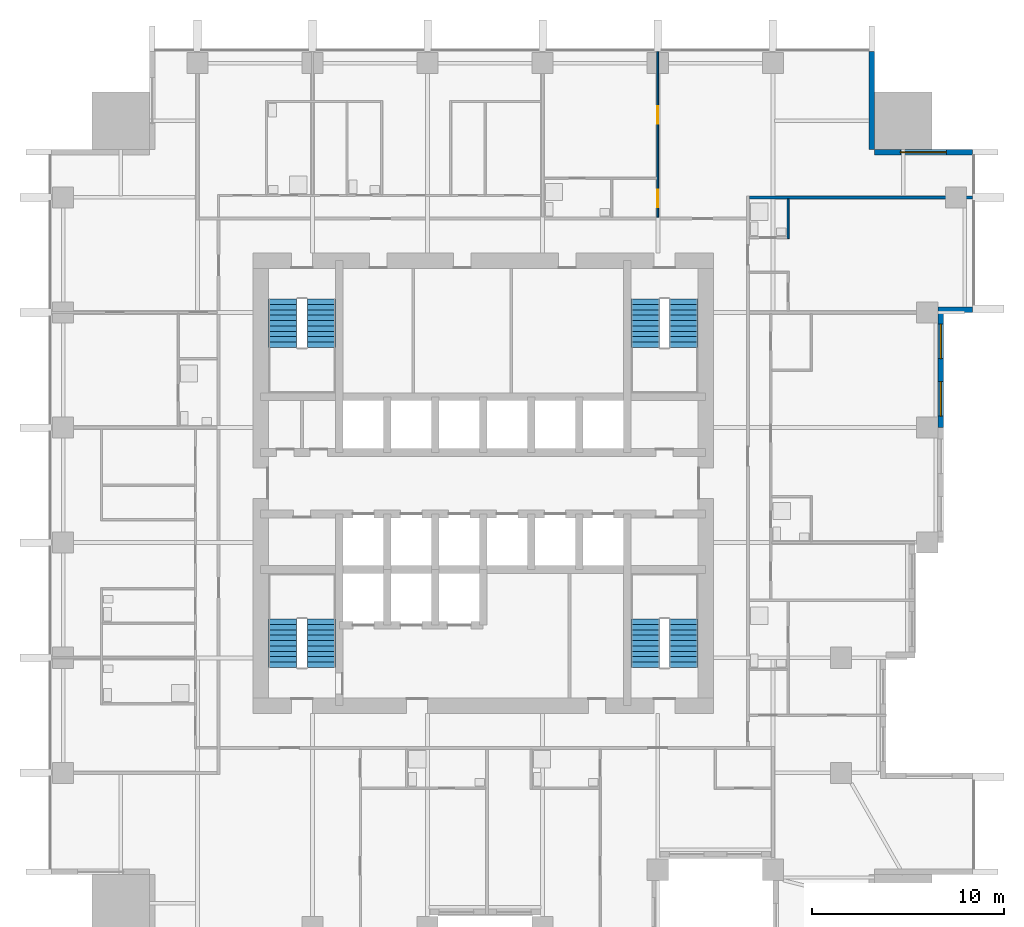
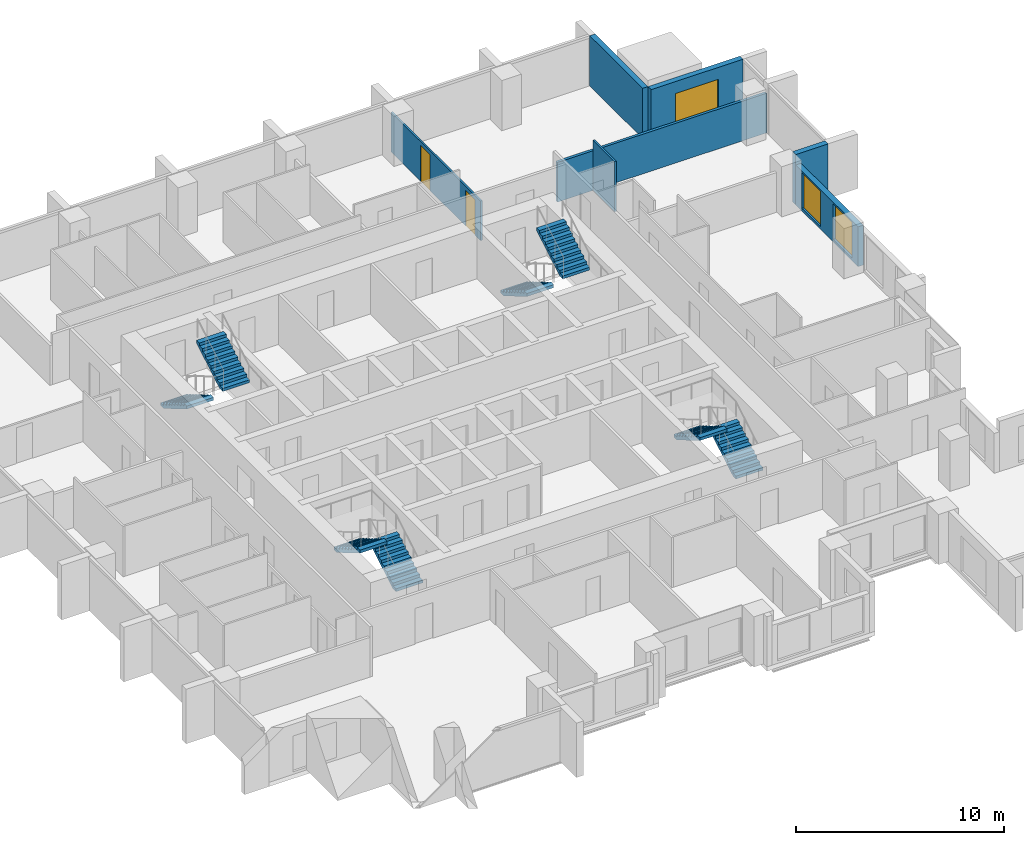
# One storey, part 8 of 10: 8 stair flights, 7 walls, 3 windows, 2 doors, 5 openings, 4 elements without a shape of their own.
"""IFC4 building model written with IfcOpenShell, lengths in metres."""

from ifc_helpers import new_model, si_unit, direction, frame, frame_2d, origin, place, context, subcontext, project, spatial, polyline, rectangle, outline, extrude, material, layer, layer_set, type_object, element, fill, aggregate, save


model = new_model("IFC4")

# Units and contexts
model_context = context("Model", 3, precision=1e-05, world=origin(), true_north=direction((0.0, 1.0)))
body_context = subcontext(model_context, "Body", "Model", "MODEL_VIEW")
ifc_project = project(units=[si_unit("LENGTHUNIT", "METRE"), si_unit("AREAUNIT", "SQUARE_METRE"), si_unit("VOLUMEUNIT", "CUBIC_METRE"), si_unit("PLANEANGLEUNIT", "RADIAN"), si_unit("MASSUNIT", "GRAM", prefix="KILO")], contexts=[model_context])

# Site, building, storey
site_placement = place(None, origin())
site = spatial("IfcSite", under=ifc_project, at=site_placement, CompositionType="ELEMENT")
building_placement = place(site_placement, origin())
building = spatial("IfcBuilding", under=site, at=building_placement, Name="Amberfall Residences", CompositionType="ELEMENT")
storey_placement = place(building_placement, frame((0.0, 0.0, 121.60009765625)))
storey = spatial("IfcBuildingStorey", under=building, at=storey_placement, Name="L33", CompositionType="ELEMENT", Elevation=121.60009765625)

# Wall
ifc_material_1 = material(Name="Pale stone cladding on insulated backing", Category="masonry")
ifc_layer_1 = layer(ifc_material_1, 0.300048828125)
ifc_layer_set_1 = layer_set([ifc_layer_1], Name="Bronze clad wall 300")
wall_type_1 = type_object("IfcWallType", Name="Bronze clad wall 300", PredefinedType="SOLIDWALL", material=ifc_layer_set_1)
wall_1_placement = place(storey_placement, frame((98.199951171875, 54.550048828125, 0.0), z_axis=(0.0, 0.0, 1.0), x_axis=(1.0, 0.0, 0.0)))
element("IfcWall", 1, at=wall_1_placement, inside=storey, type_object=wall_type_1, Name="External wall L33 E", PredefinedType="SOLIDWALL", context=body_context, shape_type="SweptSolid", body=[
    extrude(rectangle(XDim=1.800048828125, YDim=0.300048828125, at=frame_2d((0.89990234375, 0.0))), origin(), (0.0, 0.0, 1.0), 2.949951171875),
])

# Wall, opening, window
wall_2_placement = place(storey_placement, frame((100.0, 62.75, 0.0), z_axis=(0.0, 0.0, 1.0), x_axis=(-1.0, 0.0, 0.0)))
wall_2 = element("IfcWall", 2, at=wall_2_placement, inside=storey, type_object=wall_type_1, Name="External wall L33 NE", PredefinedType="SOLIDWALL", context=body_context, shape_type="SweptSolid", body=[
    extrude(rectangle(XDim=5.10009765625, YDim=0.300048828125, at=frame_2d((2.550048828125, 0.0))), origin(), (0.0, 0.0, 1.0), 2.949951171875),
])
opening_1_placement = place(wall_2_placement, frame((1.35009765625, 0.0, 0.14990234375)))
opening_1 = element("IfcOpeningElement", 3, at=opening_1_placement, cuts=wall_2, Name="Opening WN5", PredefinedType="OPENING", context=body_context, shape_type="SweptSolid", body=[
    extrude(rectangle(XDim=2.39990234375, YDim=2.10009765625, at=frame_2d((1.199951171875, 1.050048828125))), frame((0.0, 0.159912109375, 0.0), z_axis=(0.0, -1.0, 0.0), x_axis=(1.0, 0.0, 0.0)), (0.0, 0.0, 1.0), 0.320068359375),
])
ifc_material_2 = material(Name="Bronze aluminium framed glazing", Category="aluminium")
window_type_1 = type_object("IfcWindowType", Name="Glazed opening 2400 x 2100 bronze", PartitioningType="DOUBLE_PANEL_VERTICAL", PredefinedType="WINDOW", material=ifc_material_2)
window_1_placement = place(opening_1_placement, origin())
window_1 = element("IfcWindow", 4, at=window_1_placement, inside=storey, type_object=window_type_1, Name="Window L33 NE", OverallHeight=2.10009765625, OverallWidth=2.39990234375, PartitioningType="DOUBLE_PANEL_VERTICAL", PredefinedType="WINDOW", context=body_context, shape_type="SweptSolid", body=[
    extrude(rectangle(XDim=2.39990234375, YDim=2.10009765625, at=frame_2d((1.199951171875, 1.050048828125))), frame((0.0, 0.030029296875, 0.0), z_axis=(0.0, -1.0, 0.0), x_axis=(1.0, 0.0, 0.0)), (0.0, 0.0, 1.0), 0.06005859375),
])
fill(opening_1, window_1)

# Wall
wall_3_placement = place(storey_placement, frame((94.75, 62.89990234375, 0.0), z_axis=(0.0, 0.0, 1.0), x_axis=(0.0, 1.0, 0.0)))
element("IfcWall", 5, at=wall_3_placement, inside=storey, type_object=wall_type_1, Name="External wall L33 NE", PredefinedType="SOLIDWALL", context=body_context, shape_type="SweptSolid", body=[
    extrude(rectangle(XDim=5.10009765625, YDim=0.300048828125, at=frame_2d((2.550048828125, 0.0))), origin(), (0.0, 0.0, 1.0), 2.949951171875),
])

# Wall, openings, windows
wall_4_placement = place(storey_placement, frame((98.35009765625, 48.39990234375, 0.0), z_axis=(0.0, 0.0, 1.0), x_axis=(0.0, 1.0, 0.0)))
wall_4 = element("IfcWall", 6, at=wall_4_placement, inside=storey, type_object=wall_type_1, Name="Stone wall L33 E", PredefinedType="SOLIDWALL", context=body_context, shape_type="SweptSolid", body=[
    extrude(rectangle(XDim=6.0, YDim=0.300048828125, at=frame_2d((3.0, 0.0))), origin(), (0.0, 0.0, 1.0), 2.34033203125),
])
opening_2_placement = place(wall_4_placement, frame((0.60009765625, 0.0, 0.14990234375)))
opening_2 = element("IfcOpeningElement", 7, at=opening_2_placement, cuts=wall_4, Name="Opening WN6", PredefinedType="OPENING", context=body_context, shape_type="SweptSolid", body=[
    extrude(rectangle(XDim=1.800048828125, YDim=2.10009765625, at=frame_2d((0.89990234375, 1.050048828125))), frame((0.0, 0.159912109375, 0.0), z_axis=(0.0, -1.0, 0.0), x_axis=(1.0, 0.0, 0.0)), (0.0, 0.0, 1.0), 0.320068359375),
])
opening_3_placement = place(wall_4_placement, frame((3.60009765625, 0.0, 0.14990234375)))
opening_3 = element("IfcOpeningElement", 8, at=opening_3_placement, cuts=wall_4, Name="Opening WN6", PredefinedType="OPENING", context=body_context, shape_type="SweptSolid", body=[
    extrude(rectangle(XDim=1.800048828125, YDim=2.10009765625, at=frame_2d((0.89990234375, 1.050048828125))), frame((0.0, 0.159912109375, 0.0), z_axis=(0.0, -1.0, 0.0), x_axis=(1.0, 0.0, 0.0)), (0.0, 0.0, 1.0), 0.320068359375),
])
window_type_2 = type_object("IfcWindowType", Name="Glazed opening 1800 x 2100 bronze", PartitioningType="DOUBLE_PANEL_VERTICAL", PredefinedType="WINDOW", material=ifc_material_2)
window_2_placement = place(opening_2_placement, origin())
window_2 = element("IfcWindow", 9, at=window_2_placement, inside=storey, type_object=window_type_2, Name="Window L33 E", OverallHeight=2.10009765625, OverallWidth=1.800048828125, PartitioningType="DOUBLE_PANEL_VERTICAL", PredefinedType="WINDOW", context=body_context, shape_type="SweptSolid", body=[
    extrude(rectangle(XDim=1.800048828125, YDim=2.10009765625, at=frame_2d((0.89990234375, 1.050048828125))), frame((0.0, 0.030029296875, 0.0), z_axis=(0.0, -1.0, 0.0), x_axis=(1.0, 0.0, 0.0)), (0.0, 0.0, 1.0), 0.06005859375),
])
fill(opening_2, window_2)
window_3_placement = place(opening_3_placement, origin())
window_3 = element("IfcWindow", 10, at=window_3_placement, inside=storey, type_object=window_type_2, Name="Window L33 E", OverallHeight=2.10009765625, OverallWidth=1.800048828125, PartitioningType="DOUBLE_PANEL_VERTICAL", PredefinedType="WINDOW", context=body_context, shape_type="SweptSolid", body=[
    extrude(rectangle(XDim=1.800048828125, YDim=2.10009765625, at=frame_2d((0.89990234375, 1.050048828125))), frame((0.0, 0.030029296875, 0.0), z_axis=(0.0, -1.0, 0.0), x_axis=(1.0, 0.0, 0.0)), (0.0, 0.0, 1.0), 0.06005859375),
])
fill(opening_3, window_3)

# Wall, openings, doors
ifc_material_3 = material(Name="Gypsum board on metal stud")
ifc_layer_2 = layer(ifc_material_3, 0.10009765625)
ifc_layer_set_2 = layer_set([ifc_layer_2], Name="Flat partition 100")
wall_type_2 = type_object("IfcWallType", Name="Flat partition 100", PredefinedType="PARTITIONING", material=ifc_layer_set_2)
wall_5_placement = place(storey_placement, frame((83.60009765625, 59.375, 0.0), z_axis=(0.0, 0.0, 1.0), x_axis=(0.0, 1.0, 0.0)))
wall_5 = element("IfcWall", 11, at=wall_5_placement, inside=storey, type_object=wall_type_2, Name="Partition 017", PredefinedType="PARTITIONING", context=body_context, shape_type="SweptSolid", body=[
    extrude(rectangle(XDim=8.625, YDim=0.10009765625, at=frame_2d((4.3125, 0.0))), origin(), (0.0, 0.0, 1.0), 2.331787109375),
])
opening_4_placement = place(wall_5_placement, frame((0.52490234375, 0.0, 0.0)))
opening_4 = element("IfcOpeningElement", 12, at=opening_4_placement, cuts=wall_5, Name="Opening D41", PredefinedType="OPENING", context=body_context, shape_type="SweptSolid", body=[
    extrude(rectangle(XDim=0.89990234375, YDim=2.10009765625, at=frame_2d((0.449951171875, 1.050048828125))), frame((0.0, 0.06005859375, 0.0), z_axis=(0.0, -1.0, 0.0), x_axis=(1.0, 0.0, 0.0)), (0.0, 0.0, 1.0), 0.1201171875),
])
opening_5_placement = place(wall_5_placement, frame((4.875, 0.0, 0.0)))
opening_5 = element("IfcOpeningElement", 13, at=opening_5_placement, cuts=wall_5, Name="Opening D41", PredefinedType="OPENING", context=body_context, shape_type="SweptSolid", body=[
    extrude(rectangle(XDim=0.89990234375, YDim=2.10009765625, at=frame_2d((0.449951171875, 1.050048828125))), frame((0.0, 0.06005859375, 0.0), z_axis=(0.0, -1.0, 0.0), x_axis=(1.0, 0.0, 0.0)), (0.0, 0.0, 1.0), 0.1201171875),
])
ifc_material_4 = material(Name="Timber", Category="wood")
door_type = type_object("IfcDoorType", Name="Internal door 900 x 2100", OperationType="SINGLE_SWING_LEFT", PredefinedType="DOOR", material=ifc_material_4)
door_1_placement = place(opening_4_placement, origin())
door_1 = element("IfcDoor", 14, at=door_1_placement, inside=storey, type_object=door_type, Name="Door 3307 kitchen", OperationType="SINGLE_SWING_LEFT", OverallHeight=2.10009765625, OverallWidth=0.89990234375, PredefinedType="DOOR", context=body_context, shape_type="SweptSolid", body=[
    extrude(rectangle(XDim=0.89990234375, YDim=2.10009765625, at=frame_2d((0.449951171875, 1.050048828125))), frame((0.0, 0.02490234375, 0.0), z_axis=(0.0, -1.0, 0.0), x_axis=(1.0, 0.0, 0.0)), (0.0, 0.0, 1.0), 0.050048828125),
])
fill(opening_4, door_1)
door_2_placement = place(opening_5_placement, origin())
door_2 = element("IfcDoor", 15, at=door_2_placement, inside=storey, type_object=door_type, Name="Door 3307 bedroom1", OperationType="SINGLE_SWING_LEFT", OverallHeight=2.10009765625, OverallWidth=0.89990234375, PredefinedType="DOOR", context=body_context, shape_type="SweptSolid", body=[
    extrude(rectangle(XDim=0.89990234375, YDim=2.10009765625, at=frame_2d((0.449951171875, 1.050048828125))), frame((0.0, 0.02490234375, 0.0), z_axis=(0.0, -1.0, 0.0), x_axis=(1.0, 0.0, 0.0)), (0.0, 0.0, 1.0), 0.050048828125),
])
fill(opening_5, door_2)

# Walls
wall_6_placement = place(storey_placement, frame((90.39990234375, 58.25, 0.0), z_axis=(0.0, 0.0, 1.0), x_axis=(0.0, 1.0, 0.0)))
element("IfcWall", 16, at=wall_6_placement, inside=storey, type_object=wall_type_2, Name="Partition 022", PredefinedType="PARTITIONING", context=body_context, shape_type="SweptSolid", body=[
    extrude(rectangle(XDim=2.074951171875, YDim=0.10009765625, at=frame_2d((1.03759765625, 0.0))), origin(), (0.0, 0.0, 1.0), 2.949951171875),
])
ifc_material_5 = material(Name="Blockwork, plastered", Category="masonry")
ifc_layer_3 = layer(ifc_material_5, 0.14990234375)
ifc_layer_set_3 = layer_set([ifc_layer_3], Name="Flat separating wall 150")
wall_type_3 = type_object("IfcWallType", Name="Flat separating wall 150", PredefinedType="PARTITIONING", material=ifc_layer_set_3)
wall_7_placement = place(storey_placement, frame((88.375, 60.39990234375, 0.0), z_axis=(0.0, 0.0, 1.0), x_axis=(1.0, 0.0, 0.0)))
element("IfcWall", 17, at=wall_7_placement, inside=storey, type_object=wall_type_3, Name="Separating wall 054", PredefinedType="PARTITIONING", context=body_context, shape_type="SweptSolid", body=[
    extrude(rectangle(XDim=11.625, YDim=0.14990234375, at=frame_2d((5.8125, 0.0))), origin(), (0.0, 0.0, 1.0), 2.331787109375),
])

# Stair, stair flights
ifc_material_6 = material(Name="Concrete C40", Category="concrete")
stair_type = type_object("IfcStairType", Name="Exit stair 20 risers 165.0 mm", PredefinedType="HALF_TURN_STAIR", material=ifc_material_6)
stair_1_placement = place(storey_placement, origin())
stair_1 = element("IfcStair", 18, at=stair_1_placement, inside=storey, type_object=stair_type, Name="L33 Exit stair 1", PredefinedType="HALF_TURN_STAIR")
stair_flight_type = type_object("IfcStairFlightType", Name="Stair flight 10 risers 165.0 mm", PredefinedType="STRAIGHT", material=ifc_material_6)
stair_flight_1_placement = place(storey_placement, frame((66.050048828125, 35.89990234375, 0.0), z_axis=(0.0, 0.0, 1.0), x_axis=(0.0, 1.0, 0.0)))
stair_flight_1 = element("IfcStairFlight", 19, at=stair_flight_1_placement, type_object=stair_flight_type, Name="ST3 flight 1", NumberOfRisers=10, NumberOfTreads=9, PredefinedType="STRAIGHT", RiserHeight=0.165, TreadLength=0.28, context=body_context, shape_type="SweptSolid", body=[
    extrude(outline(polyline([(0.0, 0.0), (0.0, 0.1650390625), (0.280029296875, 0.1650390625), (0.280029296875, 0.330078125), (0.56005859375, 0.330078125), (0.56005859375, 0.4951171875), (0.840087890625, 0.4951171875), (0.840087890625, 0.659912109375), (1.1201171875, 0.659912109375), (1.1201171875, 0.824951171875), (1.39990234375, 0.824951171875), (1.39990234375, 0.989990234375), (1.679931640625, 0.989990234375), (1.679931640625, 1.155029296875), (1.9599609375, 1.155029296875), (1.9599609375, 1.320068359375), (2.239990234375, 1.320068359375), (2.239990234375, 1.485107421875), (2.52001953125, 1.485107421875), (2.52001953125, 1.64990234375), (2.52001953125, 1.31103515625), (0.295166015625, 0.0), (0.0, 0.0)])), frame((0.0, 0.75, 0.0), z_axis=(0.0, -1.0, 0.0), x_axis=(1.0, 0.0, 0.0)), (0.0, 0.0, 1.0), 1.5),
])
stair_flight_2_placement = place(storey_placement, frame((64.050048828125, 38.419921875, 1.64990234375), z_axis=(0.0, 0.0, 1.0), x_axis=(0.0, -1.0, 0.0)))
stair_flight_2 = element("IfcStairFlight", 20, at=stair_flight_2_placement, type_object=stair_flight_type, Name="ST3 flight 2", NumberOfRisers=10, NumberOfTreads=9, PredefinedType="STRAIGHT", RiserHeight=0.165, TreadLength=0.28, context=body_context, shape_type="SweptSolid", body=[
    extrude(outline(polyline([(0.0, 0.0), (0.0, 0.1650390625), (0.280029296875, 0.1650390625), (0.280029296875, 0.330078125), (0.56005859375, 0.330078125), (0.56005859375, 0.4951171875), (0.840087890625, 0.4951171875), (0.840087890625, 0.659912109375), (1.1201171875, 0.659912109375), (1.1201171875, 0.824951171875), (1.39990234375, 0.824951171875), (1.39990234375, 0.989990234375), (1.679931640625, 0.989990234375), (1.679931640625, 1.155029296875), (1.9599609375, 1.155029296875), (1.9599609375, 1.320068359375), (2.239990234375, 1.320068359375), (2.239990234375, 1.485107421875), (2.52001953125, 1.485107421875), (2.52001953125, 1.64990234375), (2.52001953125, 1.31103515625), (0.295166015625, 0.0), (0.0, 0.0)])), frame((0.0, 0.75, 0.0), z_axis=(0.0, -1.0, 0.0), x_axis=(1.0, 0.0, 0.0)), (0.0, 0.0, 1.0), 1.5),
])
aggregate(stair_1, [stair_flight_1, stair_flight_2])

stair_2_placement = place(storey_placement, origin())
stair_2 = element("IfcStair", 21, at=stair_2_placement, inside=storey, type_object=stair_type, Name="L33 Exit stair 2", PredefinedType="HALF_TURN_STAIR")
stair_flight_3_placement = place(storey_placement, frame((84.949951171875, 35.89990234375, 0.0), z_axis=(0.0, 0.0, 1.0), x_axis=(0.0, 1.0, 0.0)))
stair_flight_3 = element("IfcStairFlight", 22, at=stair_flight_3_placement, type_object=stair_flight_type, Name="ST3 flight 1", NumberOfRisers=10, NumberOfTreads=9, PredefinedType="STRAIGHT", RiserHeight=0.165, TreadLength=0.28, context=body_context, shape_type="SweptSolid", body=[
    extrude(outline(polyline([(0.0, 0.0), (0.0, 0.1650390625), (0.280029296875, 0.1650390625), (0.280029296875, 0.330078125), (0.56005859375, 0.330078125), (0.56005859375, 0.4951171875), (0.840087890625, 0.4951171875), (0.840087890625, 0.659912109375), (1.1201171875, 0.659912109375), (1.1201171875, 0.824951171875), (1.39990234375, 0.824951171875), (1.39990234375, 0.989990234375), (1.679931640625, 0.989990234375), (1.679931640625, 1.155029296875), (1.9599609375, 1.155029296875), (1.9599609375, 1.320068359375), (2.239990234375, 1.320068359375), (2.239990234375, 1.485107421875), (2.52001953125, 1.485107421875), (2.52001953125, 1.64990234375), (2.52001953125, 1.31103515625), (0.295166015625, 0.0), (0.0, 0.0)])), frame((0.0, 0.75, 0.0), z_axis=(0.0, -1.0, 0.0), x_axis=(1.0, 0.0, 0.0)), (0.0, 0.0, 1.0), 1.5),
])
stair_flight_4_placement = place(storey_placement, frame((82.949951171875, 38.419921875, 1.64990234375), z_axis=(0.0, 0.0, 1.0), x_axis=(0.0, -1.0, 0.0)))
stair_flight_4 = element("IfcStairFlight", 23, at=stair_flight_4_placement, type_object=stair_flight_type, Name="ST3 flight 2", NumberOfRisers=10, NumberOfTreads=9, PredefinedType="STRAIGHT", RiserHeight=0.165, TreadLength=0.28, context=body_context, shape_type="SweptSolid", body=[
    extrude(outline(polyline([(0.0, 0.0), (0.0, 0.1650390625), (0.280029296875, 0.1650390625), (0.280029296875, 0.330078125), (0.56005859375, 0.330078125), (0.56005859375, 0.4951171875), (0.840087890625, 0.4951171875), (0.840087890625, 0.659912109375), (1.1201171875, 0.659912109375), (1.1201171875, 0.824951171875), (1.39990234375, 0.824951171875), (1.39990234375, 0.989990234375), (1.679931640625, 0.989990234375), (1.679931640625, 1.155029296875), (1.9599609375, 1.155029296875), (1.9599609375, 1.320068359375), (2.239990234375, 1.320068359375), (2.239990234375, 1.485107421875), (2.52001953125, 1.485107421875), (2.52001953125, 1.64990234375), (2.52001953125, 1.31103515625), (0.295166015625, 0.0), (0.0, 0.0)])), frame((0.0, 0.75, 0.0), z_axis=(0.0, -1.0, 0.0), x_axis=(1.0, 0.0, 0.0)), (0.0, 0.0, 1.0), 1.5),
])
aggregate(stair_2, [stair_flight_3, stair_flight_4])

stair_3_placement = place(storey_placement, origin())
stair_3 = element("IfcStair", 24, at=stair_3_placement, inside=storey, type_object=stair_type, Name="L33 Exit stair 3", PredefinedType="HALF_TURN_STAIR")
stair_flight_5_placement = place(storey_placement, frame((82.949951171875, 55.10009765625, 0.0), z_axis=(0.0, 0.0, 1.0), x_axis=(0.0, -1.0, 0.0)))
stair_flight_5 = element("IfcStairFlight", 25, at=stair_flight_5_placement, type_object=stair_flight_type, Name="ST3 flight 1", NumberOfRisers=10, NumberOfTreads=9, PredefinedType="STRAIGHT", RiserHeight=0.165, TreadLength=0.28, context=body_context, shape_type="SweptSolid", body=[
    extrude(outline(polyline([(0.0, 0.0), (0.0, 0.1650390625), (0.280029296875, 0.1650390625), (0.280029296875, 0.330078125), (0.56005859375, 0.330078125), (0.56005859375, 0.4951171875), (0.840087890625, 0.4951171875), (0.840087890625, 0.659912109375), (1.1201171875, 0.659912109375), (1.1201171875, 0.824951171875), (1.39990234375, 0.824951171875), (1.39990234375, 0.989990234375), (1.679931640625, 0.989990234375), (1.679931640625, 1.155029296875), (1.9599609375, 1.155029296875), (1.9599609375, 1.320068359375), (2.239990234375, 1.320068359375), (2.239990234375, 1.485107421875), (2.52001953125, 1.485107421875), (2.52001953125, 1.64990234375), (2.52001953125, 1.31103515625), (0.295166015625, 0.0), (0.0, 0.0)])), frame((0.0, 0.75, 0.0), z_axis=(0.0, -1.0, 0.0), x_axis=(1.0, 0.0, 0.0)), (0.0, 0.0, 1.0), 1.5),
])
stair_flight_6_placement = place(storey_placement, frame((84.949951171875, 52.580078125, 1.64990234375), z_axis=(0.0, 0.0, 1.0), x_axis=(0.0, 1.0, 0.0)))
stair_flight_6 = element("IfcStairFlight", 26, at=stair_flight_6_placement, type_object=stair_flight_type, Name="ST3 flight 2", NumberOfRisers=10, NumberOfTreads=9, PredefinedType="STRAIGHT", RiserHeight=0.165, TreadLength=0.28, context=body_context, shape_type="SweptSolid", body=[
    extrude(outline(polyline([(0.0, 0.0), (0.0, 0.1650390625), (0.280029296875, 0.1650390625), (0.280029296875, 0.330078125), (0.56005859375, 0.330078125), (0.56005859375, 0.4951171875), (0.840087890625, 0.4951171875), (0.840087890625, 0.659912109375), (1.1201171875, 0.659912109375), (1.1201171875, 0.824951171875), (1.39990234375, 0.824951171875), (1.39990234375, 0.989990234375), (1.679931640625, 0.989990234375), (1.679931640625, 1.155029296875), (1.9599609375, 1.155029296875), (1.9599609375, 1.320068359375), (2.239990234375, 1.320068359375), (2.239990234375, 1.485107421875), (2.52001953125, 1.485107421875), (2.52001953125, 1.64990234375), (2.52001953125, 1.31103515625), (0.295166015625, 0.0), (0.0, 0.0)])), frame((0.0, 0.75, 0.0), z_axis=(0.0, -1.0, 0.0), x_axis=(1.0, 0.0, 0.0)), (0.0, 0.0, 1.0), 1.5),
])
aggregate(stair_3, [stair_flight_5, stair_flight_6])

stair_4_placement = place(storey_placement, origin())
stair_4 = element("IfcStair", 27, at=stair_4_placement, inside=storey, type_object=stair_type, Name="L33 Exit stair 4", PredefinedType="HALF_TURN_STAIR")
stair_flight_7_placement = place(storey_placement, frame((64.050048828125, 55.10009765625, 0.0), z_axis=(0.0, 0.0, 1.0), x_axis=(0.0, -1.0, 0.0)))
stair_flight_7 = element("IfcStairFlight", 28, at=stair_flight_7_placement, type_object=stair_flight_type, Name="ST3 flight 1", NumberOfRisers=10, NumberOfTreads=9, PredefinedType="STRAIGHT", RiserHeight=0.165, TreadLength=0.28, context=body_context, shape_type="SweptSolid", body=[
    extrude(outline(polyline([(0.0, 0.0), (0.0, 0.1650390625), (0.280029296875, 0.1650390625), (0.280029296875, 0.330078125), (0.56005859375, 0.330078125), (0.56005859375, 0.4951171875), (0.840087890625, 0.4951171875), (0.840087890625, 0.659912109375), (1.1201171875, 0.659912109375), (1.1201171875, 0.824951171875), (1.39990234375, 0.824951171875), (1.39990234375, 0.989990234375), (1.679931640625, 0.989990234375), (1.679931640625, 1.155029296875), (1.9599609375, 1.155029296875), (1.9599609375, 1.320068359375), (2.239990234375, 1.320068359375), (2.239990234375, 1.485107421875), (2.52001953125, 1.485107421875), (2.52001953125, 1.64990234375), (2.52001953125, 1.31103515625), (0.295166015625, 0.0), (0.0, 0.0)])), frame((0.0, 0.75, 0.0), z_axis=(0.0, -1.0, 0.0), x_axis=(1.0, 0.0, 0.0)), (0.0, 0.0, 1.0), 1.5),
])
stair_flight_8_placement = place(storey_placement, frame((66.050048828125, 52.580078125, 1.64990234375), z_axis=(0.0, 0.0, 1.0), x_axis=(0.0, 1.0, 0.0)))
stair_flight_8 = element("IfcStairFlight", 29, at=stair_flight_8_placement, type_object=stair_flight_type, Name="ST3 flight 2", NumberOfRisers=10, NumberOfTreads=9, PredefinedType="STRAIGHT", RiserHeight=0.165, TreadLength=0.28, context=body_context, shape_type="SweptSolid", body=[
    extrude(outline(polyline([(0.0, 0.0), (0.0, 0.1650390625), (0.280029296875, 0.1650390625), (0.280029296875, 0.330078125), (0.56005859375, 0.330078125), (0.56005859375, 0.4951171875), (0.840087890625, 0.4951171875), (0.840087890625, 0.659912109375), (1.1201171875, 0.659912109375), (1.1201171875, 0.824951171875), (1.39990234375, 0.824951171875), (1.39990234375, 0.989990234375), (1.679931640625, 0.989990234375), (1.679931640625, 1.155029296875), (1.9599609375, 1.155029296875), (1.9599609375, 1.320068359375), (2.239990234375, 1.320068359375), (2.239990234375, 1.485107421875), (2.52001953125, 1.485107421875), (2.52001953125, 1.64990234375), (2.52001953125, 1.31103515625), (0.295166015625, 0.0), (0.0, 0.0)])), frame((0.0, 0.75, 0.0), z_axis=(0.0, -1.0, 0.0), x_axis=(1.0, 0.0, 0.0)), (0.0, 0.0, 1.0), 1.5),
])
aggregate(stair_4, [stair_flight_7, stair_flight_8])

save(model, "model.ifc")
